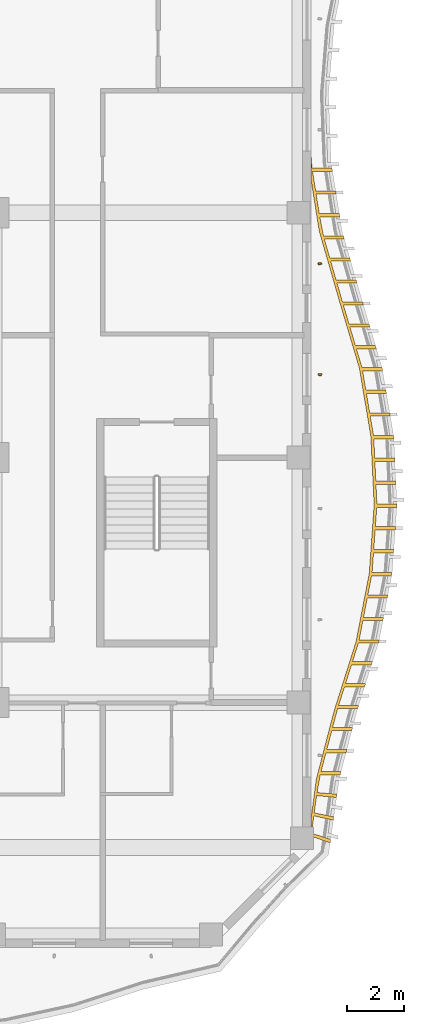
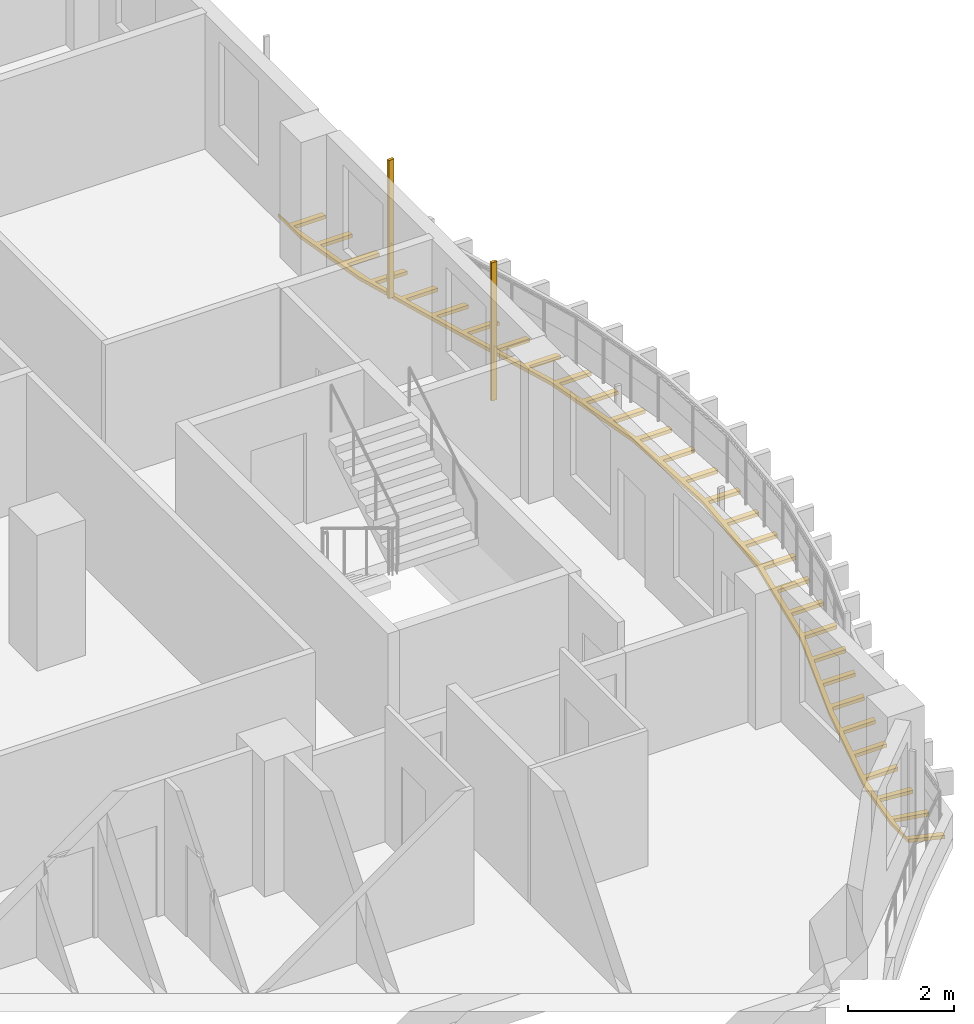
# One storey, part 18 of 22: 3 shading devices.
"""IFC4 building model written with IfcOpenShell, lengths in metres."""

from ifc_helpers import new_model, si_unit, direction, frame, origin, origin_2d, place, context, subcontext, project, spatial, polyline, rectangle, outline, extrude, source, transform, mapped, material, layer, layer_set, material_profile, profile_set, type_object, element, save


model = new_model("IFC4")

# Units and contexts
model_context = context("Model", 3, precision=1e-05, world=origin(), true_north=direction((0.0, 1.0)))
body_context = subcontext(model_context, "Body", "Model", "MODEL_VIEW")
ifc_project = project(units=[si_unit("LENGTHUNIT", "METRE"), si_unit("AREAUNIT", "SQUARE_METRE"), si_unit("VOLUMEUNIT", "CUBIC_METRE"), si_unit("PLANEANGLEUNIT", "RADIAN"), si_unit("MASSUNIT", "GRAM", prefix="KILO")], contexts=[model_context])

# Site, building, storey
site_placement = place(None, origin())
site = spatial("IfcSite", under=ifc_project, at=site_placement, CompositionType="ELEMENT")
building_placement = place(site_placement, origin())
building = spatial("IfcBuilding", under=site, at=building_placement, Name="Kilnfold Tower and Market Hall", CompositionType="ELEMENT")
storey_placement = place(building_placement, frame((0.0, 0.0, 188.89990234375)))
storey = spatial("IfcBuildingStorey", under=building, at=storey_placement, Name="L45", CompositionType="ELEMENT", Elevation=188.89990234375)

# Shading devices
ifc_material_1 = material(Name="Terracotta", Category="masonry")
ifc_material_profile = material_profile(ifc_material_1, rectangle(XDim=0.06005859375, YDim=0.1201171875, at=origin_2d()), Name="BAG 60x120")
ifc_profile_set = profile_set([ifc_material_profile], Name="Terracotta")
shading_device_type_1 = type_object("IfcShadingDeviceType", Name="BAGUETTE", PredefinedType="USERDEFINED", material=ifc_profile_set)
shared_shape_1 = source(origin(), body_context, "Body", "SweptSolid", [
    extrude(rectangle(XDim=0.06005859375, YDim=0.1201171875, at=origin_2d()), origin(), (0.0, 0.0, 1.0), 3.18017578125),
])
for number, where, z_axis, x_axis, name in (
    (1, (25.550048828125, -6.22509765625, 0.0), (0.0, 0.0, 1.0), (0.071083112883, 0.997470396083, 0.0), "Terracotta baguette L45 E"),
    (2, (25.550048828125, -2.34375, 0.0), (0.0, 0.0, 1.0), (-0.130129920728, 0.991496950944, 0.0), "Terracotta baguette L45 E"),
):
    element("IfcShadingDevice", number, at=place(storey_placement, frame(where, z_axis=z_axis, x_axis=x_axis)), inside=storey, type_object=shading_device_type_1, Name=name, ObjectType="BAGUETTE", PredefinedType="USERDEFINED", context=body_context, shape_type="MappedRepresentation", body=[
        mapped(shared_shape_1, transform((0.0, 0.0, 0.0))),
    ])
ifc_material_2 = material(Name="Bronze anodised aluminium", Category="aluminium")
ifc_layer = layer(ifc_material_2, 0.080078125)
ifc_layer_set = layer_set([ifc_layer], Name="Bronze anodised aluminium")
shading_device_type_2 = type_object("IfcShadingDeviceType", Name="BRONZE SLAT SOFFIT 80", PredefinedType="USERDEFINED", material=ifc_layer_set)
shared_shape_2 = source(origin(), body_context, "Body", "SweptSolid", [
    extrude(outline(polyline([(25.251708984375, -22.36279296875), (25.25, -21.6943359375), (25.4287109375, -20.355224609375), (26.05419921875, -17.96044921875), (26.8134765625, -15.56591796875), (27.277587890625, -13.171142578125), (27.448486328125, -10.7763671875), (27.334228515625, -8.381591796875), (26.9296875, -5.98681640625), (26.216552734375, -3.592041015625), (25.528076171875, -1.197509765625), (25.25, 0.5478515625), (25.25, 1.381103515625), (25.279052734375, 0.992919921875), (25.97900390625, 0.992919921875), (25.998046875, 0.874267578125), (25.298095703125, 0.874267578125), (25.405029296875, 0.20263671875), (26.10498046875, 0.20263671875), (26.123779296875, 0.084228515625), (25.423828125, 0.084228515625), (25.531005859375, -0.58740234375), (26.23095703125, -0.58740234375), (26.249755859375, -0.705810546875), (25.5498046875, -0.705810546875), (25.678466796875, -1.37255859375), (26.37841796875, -1.37255859375), (26.41162109375, -1.48779296875), (25.711669921875, -1.48779296875), (25.8994140625, -2.141357421875), (26.599609375, -2.141357421875), (26.6328125, -2.256591796875), (25.9326171875, -2.256591796875), (26.12060546875, -2.91015625), (26.820556640625, -2.91015625), (26.853759765625, -3.025390625), (26.15380859375, -3.025390625), (26.34228515625, -3.6787109375), (27.04248046875, -3.6787109375), (27.07666015625, -3.793701171875), (26.376708984375, -3.793701171875), (26.57080078125, -4.445556640625), (27.270751953125, -4.445556640625), (27.304931640625, -4.560546875), (26.60498046875, -4.560546875), (26.799072265625, -5.21240234375), (27.4990234375, -5.21240234375), (27.533203125, -5.327392578125), (26.833251953125, -5.327392578125), (27.02734375, -5.97900390625), (27.727294921875, -5.97900390625), (27.729736328125, -5.98681640625), (27.748291015625, -6.09716796875), (27.04833984375, -6.09716796875), (27.16162109375, -6.767578125), (27.861572265625, -6.767578125), (27.881591796875, -6.885986328125), (27.181640625, -6.885986328125), (27.294921875, -7.556396484375), (27.994873046875, -7.556396484375), (28.014892578125, -7.6748046875), (27.31494140625, -7.6748046875), (27.42822265625, -8.34521484375), (28.128173828125, -8.34521484375), (28.13427734375, -8.381591796875), (28.13818359375, -8.464599609375), (27.438232421875, -8.464599609375), (27.470703125, -9.143798828125), (28.170654296875, -9.143798828125), (28.176513671875, -9.263671875), (27.476318359375, -9.263671875), (27.5087890625, -9.943115234375), (28.208740234375, -9.943115234375), (28.2099609375, -9.9677734375), (28.214599609375, -10.062744140625), (27.514404296875, -10.062744140625), (27.547119140625, -10.741943359375), (28.2470703125, -10.741943359375), (28.24853515625, -10.7763671875), (28.242431640625, -10.86181640625), (27.54248046875, -10.86181640625), (27.493896484375, -11.5400390625), (28.194091796875, -11.5400390625), (28.187255859375, -11.634521484375), (28.185546875, -11.659912109375), (27.485595703125, -11.659912109375), (27.43701171875, -12.337890625), (28.136962890625, -12.337890625), (28.12841796875, -12.457763671875), (27.428466796875, -12.457763671875), (27.3798828125, -13.135986328125), (28.080078125, -13.135986328125), (28.077392578125, -13.171142578125), (28.061279296875, -13.25439453125), (27.361328125, -13.25439453125), (27.23193359375, -13.921875), (27.931884765625, -13.921875), (27.9091796875, -14.039794921875), (27.209228515625, -14.039794921875), (27.079833984375, -14.707275390625), (27.77978515625, -14.707275390625), (27.757080078125, -14.8251953125), (27.056884765625, -14.8251953125), (26.927734375, -15.49267578125), (27.627685546875, -15.49267578125), (27.613525390625, -15.56591796875), (27.599609375, -15.609130859375), (26.899658203125, -15.609130859375), (26.694091796875, -16.25732421875), (27.394287109375, -16.25732421875), (27.35791015625, -16.371826171875), (26.657958984375, -16.371826171875), (26.452392578125, -17.02001953125), (27.15234375, -17.02001953125), (27.1162109375, -17.134521484375), (26.416015625, -17.134521484375), (26.210693359375, -17.78271484375), (26.91064453125, -17.78271484375), (26.874267578125, -17.89697265625), (26.17431640625, -17.89697265625), (25.999267578125, -18.553955078125), (26.69921875, -18.553955078125), (26.6689453125, -18.670166015625), (25.968994140625, -18.670166015625), (25.797119140625, -19.327880859375), (26.4970703125, -19.327880859375), (26.466796875, -19.444091796875), (25.7666015625, -19.444091796875), (25.594970703125, -20.10205078125), (26.294921875, -20.10205078125), (26.264404296875, -20.218017578125), (25.564453125, -20.218017578125), (25.455810546875, -20.83349609375), (26.153564453125, -20.88818359375), (26.13671875, -21.007080078125), (25.43994140625, -20.940185546875), (25.355224609375, -21.543701171875), (26.041748046875, -21.680419921875), (26.025146484375, -21.79931640625), (25.341064453125, -21.650146484375), (25.2646484375, -22.255615234375), (25.93017578125, -22.47265625), (25.913330078125, -22.59130859375), (25.251708984375, -22.36279296875)])), origin(), (0.0, 0.0, 1.0), 0.079833984375),
])
shading_device_placement = place(storey_placement, frame((0.0, 0.0, -0.2998046875)))
element("IfcShadingDevice", 3, at=shading_device_placement, inside=storey, type_object=shading_device_type_2, Name="Balcony soffit slats L45", ObjectType="SLAT", PredefinedType="USERDEFINED", context=body_context, shape_type="MappedRepresentation", body=[
    mapped(shared_shape_2, transform((0.0, 0.0, 0.0))),
])

save(model, "model.ifc")
